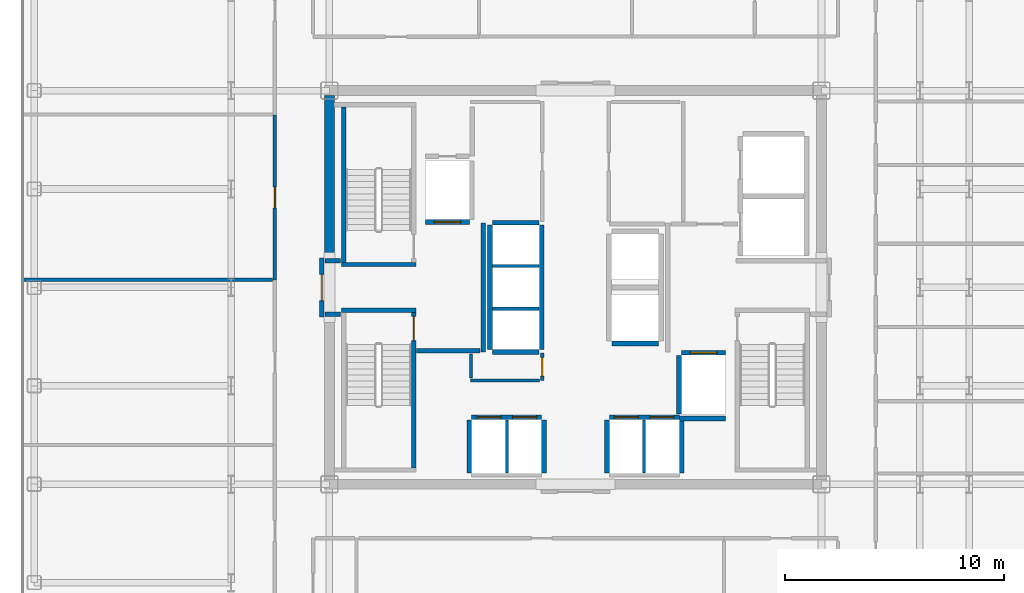
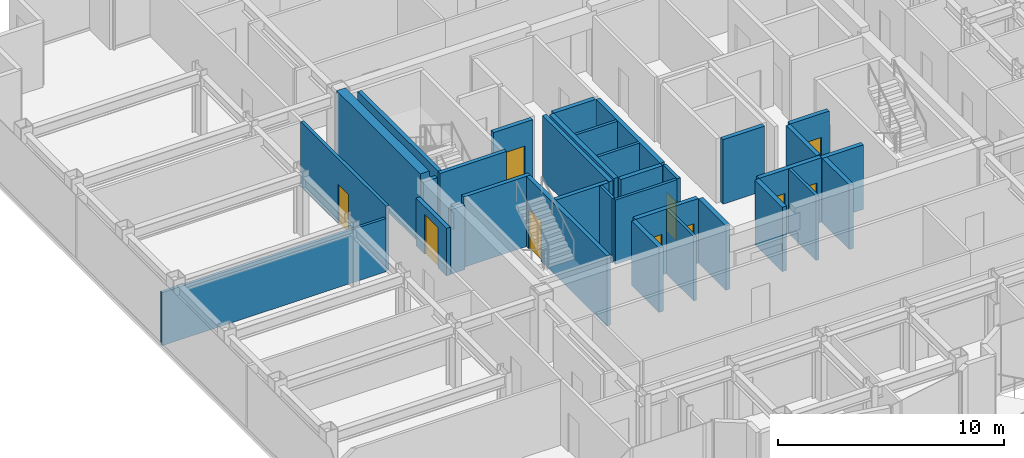
# One storey, part 15 of 21: 34 walls, 10 doors, 10 openings.
"""IFC4 building model written with IfcOpenShell, lengths in metres."""

from ifc_helpers import new_model, si_unit, direction, frame, frame_2d, origin, place, context, subcontext, project, spatial, rectangle, extrude, source, transform, mapped, material, layer, layer_set, type_object, element, fill, save


model = new_model("IFC4")

# Units and contexts
model_context = context("Model", 3, precision=1e-05, world=origin(), true_north=direction((0.0, 1.0)))
body_context = subcontext(model_context, "Body", "Model", "MODEL_VIEW")
ifc_project = project(units=[si_unit("LENGTHUNIT", "METRE"), si_unit("AREAUNIT", "SQUARE_METRE"), si_unit("VOLUMEUNIT", "CUBIC_METRE"), si_unit("PLANEANGLEUNIT", "RADIAN"), si_unit("MASSUNIT", "GRAM", prefix="KILO")], contexts=[model_context])

# Site, building, storey
site_placement = place(None, origin())
site = spatial("IfcSite", under=ifc_project, at=site_placement, CompositionType="ELEMENT")
building_placement = place(site_placement, origin())
building = spatial("IfcBuilding", under=site, at=building_placement, Name="Nefas-Gora Pilgrimage Tower", CompositionType="ELEMENT")
storey_placement = place(building_placement, frame((0.0, 0.0, 256.0)))
storey = spatial("IfcBuildingStorey", under=building, at=storey_placement, Name="L64", CompositionType="ELEMENT", Elevation=256.0)

# Walls
ifc_material_1 = material(Name="Concrete C50/60", Category="concrete")
ifc_layer_1 = layer(ifc_material_1, 0.449951171875)
ifc_layer_set_1 = layer_set([ifc_layer_1], Name="Concrete C50/60")
wall_type_1 = type_object("IfcWallType", Name="SW-CORE-450", PredefinedType="SHEAR", material=ifc_layer_set_1)
shared_shape_1 = source(origin(), body_context, "Body", "SweptSolid", [
    extrude(rectangle(XDim=7.4248046875, YDim=0.449951171875, at=frame_2d((3.71240234375, 0.0))), origin(), (0.0, 0.0, 1.0), 3.800048828125),
])
wall_1_placement = place(storey_placement, frame((-11.25, 1.35009765625, 0.0), z_axis=(0.0, 0.0, 1.0), x_axis=(0.0, 1.0, 0.0)))
element("IfcWall", 1, at=wall_1_placement, inside=storey, type_object=wall_type_1, Name="L64 Core Shear Wall W-North", PredefinedType="SHEAR", context=body_context, shape_type="MappedRepresentation", body=[
    mapped(shared_shape_1, transform((0.0, 0.0, 0.0), x_axis=(1.0, 0.0, 0.0), y_axis=(0.0, 1.0, 0.0), z_axis=(0.0, 0.0, 1.0), scale=1.0)),
])
ifc_material_2 = material(Name="Concrete C45/55", Category="concrete")
ifc_layer_2 = layer(ifc_material_2, 0.199951171875)
ifc_layer_set_2 = layer_set([ifc_layer_2], Name="Concrete C45/55")
wall_type_2 = type_object("IfcWallType", Name="IW-STAIR-200", PredefinedType="SOLIDWALL", material=ifc_layer_set_2)
shared_shape_2 = source(origin(), body_context, "Body", "SweptSolid", [
    extrude(rectangle(XDim=3.39990234375, YDim=0.199951171875, at=frame_2d((1.699951171875, 0.0))), origin(), (0.0, 0.0, 1.0), 3.800048828125),
])
for number, where, z_axis, x_axis, name in (
    (2, (-7.300048828125, 1.050048828125, 0.0), (0.0, 0.0, 1.0), (-1.0, 0.0, 0.0), "L64 Stairwell Shear Wall ST-01-near"),
    (3, (-10.699951171875, -1.050048828125, 0.0), (0.0, 0.0, 1.0), (1.0, 0.0, 0.0), "L64 Stairwell Shear Wall ST-03-near"),
):
    element("IfcWall", number, at=place(storey_placement, frame(where, z_axis=z_axis, x_axis=x_axis)), inside=storey, type_object=wall_type_2, Name=name, PredefinedType="SOLIDWALL", context=body_context, shape_type="MappedRepresentation", body=[
        mapped(shared_shape_2, transform((0.0, 0.0, 0.0), x_axis=(1.0, 0.0, 0.0), y_axis=(0.0, 1.0, 0.0), z_axis=(0.0, 0.0, 1.0), scale=1.0)),
    ])
shared_shape_3 = source(origin(), body_context, "Body", "SweptSolid", [
    extrude(rectangle(XDim=7.10009765625, YDim=0.199951171875, at=frame_2d((3.550048828125, 0.0))), origin(), (0.0, 0.0, 1.0), 3.800048828125),
])
wall_2_placement = place(storey_placement, frame((-10.60009765625, 1.14990234375, 0.0), z_axis=(0.0, 0.0, 1.0), x_axis=(0.0, 1.0, 0.0)))
element("IfcWall", 4, at=wall_2_placement, inside=storey, type_object=wall_type_2, Name="L64 Stairwell Shear Wall ST-01-right", PredefinedType="SOLIDWALL", context=body_context, shape_type="MappedRepresentation", body=[
    mapped(shared_shape_3, transform((0.0, 0.0, 0.0), x_axis=(1.0, 0.0, 0.0), y_axis=(0.0, 1.0, 0.0), z_axis=(0.0, 0.0, 1.0), scale=1.0)),
])

# Wall, opening, door
wall_3_placement = place(storey_placement, frame((-7.39990234375, -1.14990234375, 0.0), z_axis=(0.0, 0.0, 1.0), x_axis=(0.0, -1.0, 0.0)))
wall_3 = element("IfcWall", 5, at=wall_3_placement, inside=storey, type_object=wall_type_2, Name="L64 Stairwell Shear Wall ST-03-right", PredefinedType="SOLIDWALL", context=body_context, shape_type="MappedRepresentation", body=[
    mapped(shared_shape_3, transform((0.0, 0.0, 0.0), x_axis=(1.0, 0.0, 0.0), y_axis=(0.0, 1.0, 0.0), z_axis=(0.0, 0.0, 1.0), scale=1.0)),
])
opening_1_placement = place(wall_3_placement, frame((0.179931640625, 0.0, 0.0)))
opening_1 = element("IfcOpeningElement", 6, at=opening_1_placement, cuts=wall_3, Name="Opening ID-ST1", PredefinedType="OPENING", context=body_context, shape_type="SweptSolid", body=[
    extrude(rectangle(XDim=1.10009765625, YDim=2.14990234375, at=frame_2d((0.550048828125, 1.074951171875))), frame((0.0, 0.10986328125, 0.0), z_axis=(0.0, -1.0, 0.0), x_axis=(1.0, 0.0, 0.0)), (0.0, 0.0, 1.0), 0.219970703125),
])
ifc_material_3 = material(Name="Painted galvanised steel fire stair door", Category="steel")
door_type_1 = type_object("IfcDoorType", Name="DR-INT-STAIR-1100", OperationType="NOTDEFINED", PredefinedType="DOOR", material=ifc_material_3)
shared_shape_4 = source(origin(), body_context, "Body", "SweptSolid", [
    extrude(rectangle(XDim=1.10009765625, YDim=2.14990234375, at=frame_2d((0.550048828125, 1.074951171875))), frame((0.0, 0.02490234375, 0.0), z_axis=(0.0, -1.0, 0.0), x_axis=(1.0, 0.0, 0.0)), (0.0, 0.0, 1.0), 0.050048828125),
])
door_1_placement = place(opening_1_placement, origin())
door_1 = element("IfcDoor", 7, at=door_1_placement, inside=storey, type_object=door_type_1, Name="L64 Protected Exit Stair Door ST-03", OperationType="SINGLE_SWING_RIGHT", OverallHeight=2.14990234375, OverallWidth=1.10009765625, PredefinedType="DOOR", context=body_context, shape_type="MappedRepresentation", body=[
    mapped(shared_shape_4, transform((0.0, 0.0, 0.0), x_axis=(1.0, 0.0, 0.0), y_axis=(0.0, 1.0, 0.0), z_axis=(0.0, 0.0, 1.0), scale=1.0)),
])
fill(opening_1, door_1)

ifc_material_4 = material(Name="Concrete C40/50", Category="concrete")
ifc_layer_3 = layer(ifc_material_4, 0.219970703125)
ifc_layer_set_3 = layer_set([ifc_layer_3], Name="Concrete C40/50")
wall_type_3 = type_object("IfcWallType", Name="IW-SHAFT-220", PredefinedType="SOLIDWALL", material=ifc_layer_set_3)
shared_shape_5 = source(origin(), body_context, "Body", "SweptSolid", [
    extrude(rectangle(XDim=2.0, YDim=0.219970703125, at=frame_2d((1.0, 0.0))), origin(), (0.0, 0.0, 1.0), 3.485107421875),
])
wall_4_placement = place(storey_placement, frame((-6.85009765625, 2.989990234375, 0.0), z_axis=(0.0, 0.0, 1.0), x_axis=(1.0, 0.0, 0.0)))
wall_4 = element("IfcWall", 8, at=wall_4_placement, inside=storey, type_object=wall_type_3, Name="L64 Hoistway Wall FFL-01-S", PredefinedType="SOLIDWALL", context=body_context, shape_type="MappedRepresentation", body=[
    mapped(shared_shape_5, transform((0.0, 0.0, 0.0), x_axis=(1.0, 0.0, 0.0), y_axis=(0.0, 1.0, 0.0), z_axis=(0.0, 0.0, 1.0), scale=1.0)),
])
opening_2_placement = place(wall_4_placement, frame((0.39990234375, 0.0, 0.0)))
opening_2 = element("IfcOpeningElement", 9, at=opening_2_placement, cuts=wall_4, Name="Opening LD-FF", PredefinedType="OPENING", context=body_context, shape_type="SweptSolid", body=[
    extrude(rectangle(XDim=1.199951171875, YDim=2.199951171875, at=frame_2d((0.60009765625, 1.10009765625))), frame((0.0, 0.119873046875, 0.0), z_axis=(0.0, -1.0, 0.0), x_axis=(1.0, 0.0, 0.0)), (0.0, 0.0, 1.0), 0.239990234375),
])
ifc_material_5 = material(Name="Fire-service sliding lift landing door")
door_type_2 = type_object("IfcDoorType", Name="DR-LIFT-FSAE-1200", OperationType="SLIDING_TO_LEFT", PredefinedType="DOOR", material=ifc_material_5)
shared_shape_6 = source(origin(), body_context, "Body", "SweptSolid", [
    extrude(rectangle(XDim=1.199951171875, YDim=2.199951171875, at=frame_2d((0.60009765625, 1.10009765625))), frame((0.0, 0.02490234375, 0.0), z_axis=(0.0, -1.0, 0.0), x_axis=(1.0, 0.0, 0.0)), (0.0, 0.0, 1.0), 0.050048828125),
])
door_2_placement = place(opening_2_placement, origin())
door_2 = element("IfcDoor", 10, at=door_2_placement, inside=storey, type_object=door_type_2, Name="L64 Sliding Lift Landing Door FFL-01", OperationType="SLIDING_TO_LEFT", OverallHeight=2.199951171875, OverallWidth=1.199951171875, PredefinedType="DOOR", context=body_context, shape_type="MappedRepresentation", body=[
    mapped(shared_shape_6, transform((0.0, 0.0, 0.0), x_axis=(1.0, 0.0, 0.0), y_axis=(0.0, 1.0, 0.0), z_axis=(0.0, 0.0, 1.0), scale=1.0)),
])
fill(opening_2, door_2)

wall_5_placement = place(storey_placement, frame((6.85009765625, -2.989990234375, 0.0), z_axis=(0.0, 0.0, 1.0), x_axis=(-1.0, 0.0, 0.0)))
wall_5 = element("IfcWall", 11, at=wall_5_placement, inside=storey, type_object=wall_type_3, Name="L64 Hoistway Wall FFL-02-N", PredefinedType="SOLIDWALL", context=body_context, shape_type="MappedRepresentation", body=[
    mapped(shared_shape_5, transform((0.0, 0.0, 0.0), x_axis=(1.0, 0.0, 0.0), y_axis=(0.0, 1.0, 0.0), z_axis=(0.0, 0.0, 1.0), scale=1.0)),
])
opening_3_placement = place(wall_5_placement, frame((0.39990234375, 0.0, 0.0)))
opening_3 = element("IfcOpeningElement", 12, at=opening_3_placement, cuts=wall_5, Name="Opening LD-FF", PredefinedType="OPENING", context=body_context, shape_type="SweptSolid", body=[
    extrude(rectangle(XDim=1.199951171875, YDim=2.199951171875, at=frame_2d((0.60009765625, 1.10009765625))), frame((0.0, 0.119873046875, 0.0), z_axis=(0.0, -1.0, 0.0), x_axis=(1.0, 0.0, 0.0)), (0.0, 0.0, 1.0), 0.239990234375),
])
door_3_placement = place(opening_3_placement, origin())
door_3 = element("IfcDoor", 13, at=door_3_placement, inside=storey, type_object=door_type_2, Name="L64 Sliding Lift Landing Door FFL-02", OperationType="SLIDING_TO_LEFT", OverallHeight=2.199951171875, OverallWidth=1.199951171875, PredefinedType="DOOR", context=body_context, shape_type="MappedRepresentation", body=[
    mapped(shared_shape_6, transform((0.0, 0.0, 0.0), x_axis=(1.0, 0.0, 0.0), y_axis=(0.0, 1.0, 0.0), z_axis=(0.0, 0.0, 1.0), scale=1.0)),
])
fill(opening_3, door_3)

# Wall
shared_shape_7 = source(origin(), body_context, "Body", "SweptSolid", [
    extrude(rectangle(XDim=2.679931640625, YDim=0.219970703125, at=frame_2d((1.33984375, 0.0))), origin(), (0.0, 0.0, 1.0), 3.485107421875),
])
wall_6_placement = place(storey_placement, frame((4.739990234375, -3.110107421875, 0.0), z_axis=(0.0, 0.0, 1.0), x_axis=(0.0, -1.0, 0.0)))
element("IfcWall", 14, at=wall_6_placement, inside=storey, type_object=wall_type_3, Name="L64 Hoistway Wall FFL-02-W", PredefinedType="SOLIDWALL", context=body_context, shape_type="MappedRepresentation", body=[
    mapped(shared_shape_7, transform((0.0, 0.0, 0.0), x_axis=(1.0, 0.0, 0.0), y_axis=(0.0, 1.0, 0.0), z_axis=(0.0, 0.0, 1.0), scale=1.0)),
])

# Wall, openings, doors
shared_shape_8 = source(origin(), body_context, "Body", "SweptSolid", [
    extrude(rectangle(XDim=3.199951171875, YDim=0.219970703125, at=frame_2d((1.60009765625, 0.0))), origin(), (0.0, 0.0, 1.0), 3.485107421875),
])
wall_7_placement = place(storey_placement, frame((-1.550048828125, -5.93994140625, 0.0), z_axis=(0.0, 0.0, 1.0), x_axis=(-1.0, 0.0, 0.0)))
wall_7 = element("IfcWall", 15, at=wall_7_placement, inside=storey, type_object=wall_type_3, Name="L64 Hoistway Wall PL2-W-N", PredefinedType="SOLIDWALL", context=body_context, shape_type="MappedRepresentation", body=[
    mapped(shared_shape_8, transform((0.0, 0.0, 0.0), x_axis=(1.0, 0.0, 0.0), y_axis=(0.0, 1.0, 0.0), z_axis=(0.0, 0.0, 1.0), scale=1.0)),
])
opening_4_placement = place(wall_7_placement, frame((1.85009765625, 0.0, 0.0)))
opening_4 = element("IfcOpeningElement", 16, at=opening_4_placement, cuts=wall_7, Name="Opening LD-01", PredefinedType="OPENING", context=body_context, shape_type="SweptSolid", body=[
    extrude(rectangle(XDim=1.10009765625, YDim=2.199951171875, at=frame_2d((0.550048828125, 1.10009765625))), frame((0.0, 0.119873046875, 0.0), z_axis=(0.0, -1.0, 0.0), x_axis=(1.0, 0.0, 0.0)), (0.0, 0.0, 1.0), 0.239990234375),
])
opening_5_placement = place(wall_7_placement, frame((0.22509765625, 0.0, 0.0)))
opening_5 = element("IfcOpeningElement", 17, at=opening_5_placement, cuts=wall_7, Name="Opening LD-01", PredefinedType="OPENING", context=body_context, shape_type="SweptSolid", body=[
    extrude(rectangle(XDim=1.10009765625, YDim=2.199951171875, at=frame_2d((0.550048828125, 1.10009765625))), frame((0.0, 0.119873046875, 0.0), z_axis=(0.0, -1.0, 0.0), x_axis=(1.0, 0.0, 0.0)), (0.0, 0.0, 1.0), 0.239990234375),
])
ifc_material_6 = material(Name="Brushed stainless sliding lift landing door")
door_type_3 = type_object("IfcDoorType", Name="DR-LIFT-PASS-1100", OperationType="DOUBLE_DOOR_SLIDING", PredefinedType="DOOR", material=ifc_material_6)
shared_shape_9 = source(origin(), body_context, "Body", "SweptSolid", [
    extrude(rectangle(XDim=1.10009765625, YDim=2.199951171875, at=frame_2d((0.550048828125, 1.10009765625))), frame((0.0, 0.02490234375, 0.0), z_axis=(0.0, -1.0, 0.0), x_axis=(1.0, 0.0, 0.0)), (0.0, 0.0, 1.0), 0.050048828125),
])
door_4_placement = place(opening_4_placement, origin())
door_4 = element("IfcDoor", 18, at=door_4_placement, inside=storey, type_object=door_type_3, Name="L64 Sliding Lift Landing Door PL2-01", OperationType="DOUBLE_DOOR_SLIDING", OverallHeight=2.199951171875, OverallWidth=1.10009765625, PredefinedType="DOOR", context=body_context, shape_type="MappedRepresentation", body=[
    mapped(shared_shape_9, transform((0.0, 0.0, 0.0), x_axis=(1.0, 0.0, 0.0), y_axis=(0.0, 1.0, 0.0), z_axis=(0.0, 0.0, 1.0), scale=1.0)),
])
fill(opening_4, door_4)
door_5_placement = place(opening_5_placement, origin())
door_5 = element("IfcDoor", 19, at=door_5_placement, inside=storey, type_object=door_type_3, Name="L64 Sliding Lift Landing Door PL2-02", OperationType="DOUBLE_DOOR_SLIDING", OverallHeight=2.199951171875, OverallWidth=1.10009765625, PredefinedType="DOOR", context=body_context, shape_type="MappedRepresentation", body=[
    mapped(shared_shape_9, transform((0.0, 0.0, 0.0), x_axis=(1.0, 0.0, 0.0), y_axis=(0.0, 1.0, 0.0), z_axis=(0.0, 0.0, 1.0), scale=1.0)),
])
fill(opening_5, door_5)

wall_8_placement = place(storey_placement, frame((4.75, -5.93994140625, 0.0), z_axis=(0.0, 0.0, 1.0), x_axis=(-1.0, 0.0, 0.0)))
wall_8 = element("IfcWall", 20, at=wall_8_placement, inside=storey, type_object=wall_type_3, Name="L64 Hoistway Wall PL2-E-N", PredefinedType="SOLIDWALL", context=body_context, shape_type="MappedRepresentation", body=[
    mapped(shared_shape_8, transform((0.0, 0.0, 0.0), x_axis=(1.0, 0.0, 0.0), y_axis=(0.0, 1.0, 0.0), z_axis=(0.0, 0.0, 1.0), scale=1.0)),
])
opening_6_placement = place(wall_8_placement, frame((1.875, 0.0, 0.0)))
opening_6 = element("IfcOpeningElement", 21, at=opening_6_placement, cuts=wall_8, Name="Opening LD-01", PredefinedType="OPENING", context=body_context, shape_type="SweptSolid", body=[
    extrude(rectangle(XDim=1.10009765625, YDim=2.199951171875, at=frame_2d((0.550048828125, 1.10009765625))), frame((0.0, 0.119873046875, 0.0), z_axis=(0.0, -1.0, 0.0), x_axis=(1.0, 0.0, 0.0)), (0.0, 0.0, 1.0), 0.239990234375),
])
opening_7_placement = place(wall_8_placement, frame((0.25, 0.0, 0.0)))
opening_7 = element("IfcOpeningElement", 22, at=opening_7_placement, cuts=wall_8, Name="Opening LD-01", PredefinedType="OPENING", context=body_context, shape_type="SweptSolid", body=[
    extrude(rectangle(XDim=1.10009765625, YDim=2.199951171875, at=frame_2d((0.550048828125, 1.10009765625))), frame((0.0, 0.119873046875, 0.0), z_axis=(0.0, -1.0, 0.0), x_axis=(1.0, 0.0, 0.0)), (0.0, 0.0, 1.0), 0.239990234375),
])
door_6_placement = place(opening_6_placement, origin())
door_6 = element("IfcDoor", 23, at=door_6_placement, inside=storey, type_object=door_type_3, Name="L64 Sliding Lift Landing Door PL2-03", OperationType="DOUBLE_DOOR_SLIDING", OverallHeight=2.199951171875, OverallWidth=1.10009765625, PredefinedType="DOOR", context=body_context, shape_type="MappedRepresentation", body=[
    mapped(shared_shape_9, transform((0.0, 0.0, 0.0), x_axis=(1.0, 0.0, 0.0), y_axis=(0.0, 1.0, 0.0), z_axis=(0.0, 0.0, 1.0), scale=1.0)),
])
fill(opening_6, door_6)
door_7_placement = place(opening_7_placement, origin())
door_7 = element("IfcDoor", 24, at=door_7_placement, inside=storey, type_object=door_type_3, Name="L64 Sliding Lift Landing Door PL2-04", OperationType="DOUBLE_DOOR_SLIDING", OverallHeight=2.199951171875, OverallWidth=1.10009765625, PredefinedType="DOOR", context=body_context, shape_type="MappedRepresentation", body=[
    mapped(shared_shape_9, transform((0.0, 0.0, 0.0), x_axis=(1.0, 0.0, 0.0), y_axis=(0.0, 1.0, 0.0), z_axis=(0.0, 0.0, 1.0), scale=1.0)),
])
fill(opening_7, door_7)

# Walls
shared_shape_10 = source(origin(), body_context, "Body", "SweptSolid", [
    extrude(rectangle(XDim=2.429931640625, YDim=0.219970703125, at=frame_2d((1.21484375, 0.0))), origin(), (0.0, 0.0, 1.0), 3.485107421875),
])
for number, where, z_axis, x_axis, name in (
    (25, (-4.860107421875, -6.06005859375, 0.0), (0.0, 0.0, 1.0), (0.0, -1.0, 0.0), "L64 Hoistway Wall PL2-W-W"),
    (26, (-1.43994140625, -8.489990234375, 0.0), (0.0, 0.0, 1.0), (0.0, 1.0, 0.0), "L64 Hoistway Wall PL2-W-E"),
    (27, (1.43994140625, -6.06005859375, 0.0), (0.0, 0.0, 1.0), (0.0, -1.0, 0.0), "L64 Hoistway Wall PL2-E-W"),
    (28, (4.860107421875, -8.489990234375, 0.0), (0.0, 0.0, 1.0), (0.0, 1.0, 0.0), "L64 Hoistway Wall PL2-E-E"),
):
    element("IfcWall", number, at=place(storey_placement, frame(where, z_axis=z_axis, x_axis=x_axis)), inside=storey, type_object=wall_type_3, Name=name, PredefinedType="SOLIDWALL", context=body_context, shape_type="MappedRepresentation", body=[
        mapped(shared_shape_10, transform((0.0, 0.0, 0.0), x_axis=(1.0, 0.0, 0.0), y_axis=(0.0, 1.0, 0.0), z_axis=(0.0, 0.0, 1.0), scale=1.0)),
    ])
ifc_material_7 = material(Name="Gypsum twin-stud partition")
ifc_layer_4 = layer(ifc_material_7, 0.139892578125)
ifc_layer_set_4 = layer_set([ifc_layer_4], Name="Gypsum twin-stud partition")
wall_type_4 = type_object("IfcWallType", Name="IW-UNIT-140", PredefinedType="PARTITIONING", material=ifc_layer_set_4)
shared_shape_11 = source(origin(), body_context, "Body", "SweptSolid", [
    extrude(rectangle(XDim=2.429931640625, YDim=0.139892578125, at=frame_2d((1.21484375, 0.0))), origin(), (0.0, 0.0, 1.0), 3.485107421875),
])
for number, where, z_axis, x_axis, name in (
    (29, (-3.125, -8.489990234375, 0.0), (0.0, 0.0, 1.0), (0.0, 1.0, 0.0), "L64 Hoistway Wall PL2-W-DIV"),
    (30, (3.125, -8.489990234375, 0.0), (0.0, 0.0, 1.0), (0.0, 1.0, 0.0), "L64 Hoistway Wall PL2-E-DIV"),
):
    element("IfcWall", number, at=place(storey_placement, frame(where, z_axis=z_axis, x_axis=x_axis)), inside=storey, type_object=wall_type_4, Name=name, PredefinedType="PARTITIONING", context=body_context, shape_type="MappedRepresentation", body=[
        mapped(shared_shape_11, transform((0.0, 0.0, 0.0), x_axis=(1.0, 0.0, 0.0), y_axis=(0.0, 1.0, 0.0), z_axis=(0.0, 0.0, 1.0), scale=1.0)),
    ])
shared_shape_12 = source(origin(), body_context, "Body", "SweptSolid", [
    extrude(rectangle(XDim=5.7001953125, YDim=0.219970703125, at=frame_2d((2.85009765625, 0.0))), origin(), (0.0, 0.0, 1.0), 3.485107421875),
])
for number, where, z_axis, x_axis, name in (
    (31, (-1.5400390625, -2.85009765625, 0.0), (0.0, 0.0, 1.0), (0.0, 1.0, 0.0), "L64 Hoistway Wall PL3-01-03-E"),
    (32, (-3.909912109375, 2.85009765625, 0.0), (0.0, 0.0, 1.0), (0.0, -1.0, 0.0), "L64 Hoistway Wall PL3-01-03-W"),
):
    element("IfcWall", number, at=place(storey_placement, frame(where, z_axis=z_axis, x_axis=x_axis)), inside=storey, type_object=wall_type_3, Name=name, PredefinedType="SOLIDWALL", context=body_context, shape_type="MappedRepresentation", body=[
        mapped(shared_shape_12, transform((0.0, 0.0, 0.0), x_axis=(1.0, 0.0, 0.0), y_axis=(0.0, 1.0, 0.0), z_axis=(0.0, 0.0, 1.0), scale=1.0)),
    ])
shared_shape_13 = source(origin(), body_context, "Body", "SweptSolid", [
    extrude(rectangle(XDim=2.130126953125, YDim=0.219970703125, at=frame_2d((1.06494140625, 0.0))), origin(), (0.0, 0.0, 1.0), 3.485107421875),
])
for number, where, z_axis, x_axis, name in (
    (33, (-3.7900390625, -2.9599609375, 0.0), (0.0, 0.0, 1.0), (1.0, 0.0, 0.0), "L64 Hoistway Wall PL3-01-S"),
    (34, (-1.659912109375, 2.9599609375, 0.0), (0.0, 0.0, 1.0), (-1.0, 0.0, 0.0), "L64 Hoistway Wall PL3-03-N"),
    (35, (1.659912109375, -2.56005859375, 0.0), (0.0, 0.0, 1.0), (1.0, 0.0, 0.0), "L64 Hoistway Wall OBS-01-S"),
):
    element("IfcWall", number, at=place(storey_placement, frame(where, z_axis=z_axis, x_axis=x_axis)), inside=storey, type_object=wall_type_3, Name=name, PredefinedType="SOLIDWALL", context=body_context, shape_type="MappedRepresentation", body=[
        mapped(shared_shape_13, transform((0.0, 0.0, 0.0), x_axis=(1.0, 0.0, 0.0), y_axis=(0.0, 1.0, 0.0), z_axis=(0.0, 0.0, 1.0), scale=1.0)),
    ])
shared_shape_14 = source(origin(), body_context, "Body", "SweptSolid", [
    extrude(rectangle(XDim=2.130126953125, YDim=0.139892578125, at=frame_2d((1.06494140625, 0.0))), origin(), (0.0, 0.0, 1.0), 3.485107421875),
])
for number, where, z_axis, x_axis, name in (
    (36, (-3.7900390625, -0.97509765625, 0.0), (0.0, 0.0, 1.0), (1.0, 0.0, 0.0), "L64 Hoistway Wall PL3-01-02-DIV"),
    (37, (-3.7900390625, 0.97509765625, 0.0), (0.0, 0.0, 1.0), (1.0, 0.0, 0.0), "L64 Hoistway Wall PL3-02-03-DIV"),
):
    element("IfcWall", number, at=place(storey_placement, frame(where, z_axis=z_axis, x_axis=x_axis)), inside=storey, type_object=wall_type_4, Name=name, PredefinedType="PARTITIONING", context=body_context, shape_type="MappedRepresentation", body=[
        mapped(shared_shape_14, transform((0.0, 0.0, 0.0), x_axis=(1.0, 0.0, 0.0), y_axis=(0.0, 1.0, 0.0), z_axis=(0.0, 0.0, 1.0), scale=1.0)),
    ])
shared_shape_15 = source(origin(), body_context, "Body", "SweptSolid", [
    extrude(rectangle(XDim=2.09521484375, YDim=0.219970703125, at=frame_2d((1.047607421875, 0.0))), origin(), (0.0, 0.0, 1.0), 3.485107421875),
])
wall_9_placement = place(storey_placement, frame((4.7548828125, -6.0, 0.0), z_axis=(0.0, 0.0, 1.0), x_axis=(1.0, 0.0, 0.0)))
element("IfcWall", 38, at=wall_9_placement, inside=storey, type_object=wall_type_3, Name="L64 Riser Shaft Wall 3", PredefinedType="SOLIDWALL", context=body_context, shape_type="MappedRepresentation", body=[
    mapped(shared_shape_15, transform((0.0, 0.0, 0.0), x_axis=(1.0, 0.0, 0.0), y_axis=(0.0, 1.0, 0.0), z_axis=(0.0, 0.0, 1.0), scale=1.0)),
])
ifc_material_8 = material(Name="Gypsum fire-rated shaftwall")
ifc_layer_5 = layer(ifc_material_8, 0.199951171875)
ifc_layer_set_5 = layer_set([ifc_layer_5], Name="Gypsum fire-rated shaftwall")
wall_type_5 = type_object("IfcWallType", Name="IW-FFLOB-200", PredefinedType="PARTITIONING", material=ifc_layer_set_5)
shared_shape_16 = source(origin(), body_context, "Body", "SweptSolid", [
    extrude(rectangle(XDim=5.89990234375, YDim=0.199951171875, at=frame_2d((2.949951171875, 0.0))), origin(), (0.0, 0.0, 1.0), 3.485107421875),
])
wall_10_placement = place(storey_placement, frame((-4.219970703125, -2.949951171875, 0.0), z_axis=(0.0, 0.0, 1.0), x_axis=(0.0, 1.0, 0.0)))
element("IfcWall", 39, at=wall_10_placement, inside=storey, type_object=wall_type_5, Name="L64 FF Lobby West Inner Wall Wall 5", PredefinedType="PARTITIONING", context=body_context, shape_type="MappedRepresentation", body=[
    mapped(shared_shape_16, transform((0.0, 0.0, 0.0), x_axis=(1.0, 0.0, 0.0), y_axis=(0.0, 1.0, 0.0), z_axis=(0.0, 0.0, 1.0), scale=1.0)),
])
shared_shape_17 = source(origin(), body_context, "Body", "SweptSolid", [
    extrude(rectangle(XDim=2.89990234375, YDim=0.199951171875, at=frame_2d((1.449951171875, 0.0))), origin(), (0.0, 0.0, 1.0), 3.485107421875),
])
wall_11_placement = place(storey_placement, frame((-7.260009765625, -2.89990234375, 0.0), z_axis=(0.0, 0.0, 1.0), x_axis=(1.0, 0.0, 0.0)))
element("IfcWall", 40, at=wall_11_placement, inside=storey, type_object=wall_type_5, Name="L64 FF Lobby West South Wall Wall 6", PredefinedType="PARTITIONING", context=body_context, shape_type="MappedRepresentation", body=[
    mapped(shared_shape_17, transform((0.0, 0.0, 0.0), x_axis=(1.0, 0.0, 0.0), y_axis=(0.0, 1.0, 0.0), z_axis=(0.0, 0.0, 1.0), scale=1.0)),
])
shared_shape_18 = source(origin(), body_context, "Body", "SweptSolid", [
    extrude(rectangle(XDim=0.719970703125, YDim=0.199951171875, at=frame_2d((0.35986328125, 0.0))), origin(), (0.0, 0.0, 1.0), 3.485107421875),
])
for number, where, z_axis, x_axis, name in (
    (41, (-11.4599609375, 1.219970703125, 0.0), (0.0, 0.0, 1.0), (1.0, 0.0, 0.0), "L64 FF Lobby West Throat N Wall 7"),
    (42, (-11.4599609375, -1.219970703125, 0.0), (0.0, 0.0, 1.0), (1.0, 0.0, 0.0), "L64 FF Lobby West Throat S Wall 8"),
):
    element("IfcWall", number, at=place(storey_placement, frame(where, z_axis=z_axis, x_axis=x_axis)), inside=storey, type_object=wall_type_5, Name=name, PredefinedType="PARTITIONING", context=body_context, shape_type="MappedRepresentation", body=[
        mapped(shared_shape_18, transform((0.0, 0.0, 0.0), x_axis=(1.0, 0.0, 0.0), y_axis=(0.0, 1.0, 0.0), z_axis=(0.0, 0.0, 1.0), scale=1.0)),
    ])

# Wall, opening, door
ifc_material_9 = material(Name="Gypsum acoustic stud partition")
ifc_layer_6 = layer(ifc_material_9, 0.159912109375)
ifc_layer_set_6 = layer_set([ifc_layer_6], Name="Gypsum acoustic stud partition")
wall_type_6 = type_object("IfcWallType", Name="IW-CORR-160", PredefinedType="PARTITIONING", material=ifc_layer_set_6)
shared_shape_19 = source(origin(), body_context, "Body", "SweptSolid", [
    extrude(rectangle(XDim=1.25, YDim=0.159912109375, at=frame_2d((0.625, 0.0))), origin(), (0.0, 0.0, 1.0), 3.485107421875),
])
wall_12_placement = place(storey_placement, frame((-1.52001953125, -4.260009765625, 0.0), z_axis=(0.0, 0.0, 1.0), x_axis=(0.0, 1.0, 0.0)))
wall_12 = element("IfcWall", 43, at=wall_12_placement, inside=storey, type_object=wall_type_6, Name="L64 Pilgrim Baggage and Gear Vault Wall 20", PredefinedType="PARTITIONING", context=body_context, shape_type="MappedRepresentation", body=[
    mapped(shared_shape_19, transform((0.0, 0.0, 0.0), x_axis=(1.0, 0.0, 0.0), y_axis=(0.0, 1.0, 0.0), z_axis=(0.0, 0.0, 1.0), scale=1.0)),
])
opening_8_placement = place(wall_12_placement, frame((0.199951171875, 0.0, 0.0)))
opening_8 = element("IfcOpeningElement", 44, at=opening_8_placement, cuts=wall_12, Name="Opening ID-BT1", PredefinedType="OPENING", context=body_context, shape_type="SweptSolid", body=[
    extrude(rectangle(XDim=0.85009765625, YDim=2.10009765625, at=frame_2d((0.425048828125, 1.050048828125))), frame((0.0, 0.08984375, 0.0), z_axis=(0.0, -1.0, 0.0), x_axis=(1.0, 0.0, 0.0)), (0.0, 0.0, 1.0), 0.179931640625),
])
ifc_material_10 = material(Name="Moisture-resistant fire-rated timber door", Category="wood")
door_type_4 = type_object("IfcDoorType", Name="DR-INT-BATH-850", OperationType="NOTDEFINED", PredefinedType="DOOR", material=ifc_material_10)
shared_shape_20 = source(origin(), body_context, "Body", "SweptSolid", [
    extrude(rectangle(XDim=0.85009765625, YDim=2.10009765625, at=frame_2d((0.425048828125, 1.050048828125))), frame((0.0, 0.02490234375, 0.0), z_axis=(0.0, -1.0, 0.0), x_axis=(1.0, 0.0, 0.0)), (0.0, 0.0, 1.0), 0.050048828125),
])
door_8_placement = place(opening_8_placement, origin())
door_8 = element("IfcDoor", 45, at=door_8_placement, inside=storey, type_object=door_type_4, Name="L64 Pilgrim Baggage and Gear Vault Door 8", OperationType="SINGLE_SWING_RIGHT", OverallHeight=2.10009765625, OverallWidth=0.85009765625, PredefinedType="DOOR", context=body_context, shape_type="MappedRepresentation", body=[
    mapped(shared_shape_20, transform((0.0, 0.0, 0.0), x_axis=(1.0, 0.0, 0.0), y_axis=(0.0, 1.0, 0.0), z_axis=(0.0, 0.0, 1.0), scale=1.0)),
])
fill(opening_8, door_8)

# Walls
shared_shape_21 = source(origin(), body_context, "Body", "SweptSolid", [
    extrude(rectangle(XDim=3.150146484375, YDim=0.139892578125, at=frame_2d((1.5751953125, 0.0))), origin(), (0.0, 0.0, 1.0), 3.485107421875),
])
wall_13_placement = place(storey_placement, frame((-4.7900390625, -4.25, 0.0), z_axis=(0.0, 0.0, 1.0), x_axis=(1.0, 0.0, 0.0)))
element("IfcWall", 46, at=wall_13_placement, inside=storey, type_object=wall_type_4, Name="L64 Pilgrim Baggage and Gear Vault Partition Wall 21", PredefinedType="PARTITIONING", context=body_context, shape_type="MappedRepresentation", body=[
    mapped(shared_shape_21, transform((0.0, 0.0, 0.0), x_axis=(1.0, 0.0, 0.0), y_axis=(0.0, 1.0, 0.0), z_axis=(0.0, 0.0, 1.0), scale=1.0)),
])
shared_shape_22 = source(origin(), body_context, "Body", "SweptSolid", [
    extrude(rectangle(XDim=11.429931640625, YDim=0.139892578125, at=frame_2d((5.71484375, 0.0))), origin(), (0.0, 0.0, 1.0), 2.875),
])
wall_14_placement = place(storey_placement, frame((-25.2900390625, 0.351318359375, 0.0), z_axis=(0.0, 0.0, 1.0), x_axis=(1.0, 0.0, 0.0)))
element("IfcWall", 47, at=wall_14_placement, inside=storey, type_object=wall_type_4, Name="L64 Pilgrim Tea and Beverage Pantry Partition Wall 35", PredefinedType="PARTITIONING", context=body_context, shape_type="MappedRepresentation", body=[
    mapped(shared_shape_22, transform((0.0, 0.0, 0.0), x_axis=(1.0, 0.0, 0.0), y_axis=(0.0, 1.0, 0.0), z_axis=(0.0, 0.0, 1.0), scale=1.0)),
])
shared_shape_23 = source(origin(), body_context, "Body", "SweptSolid", [
    extrude(rectangle(XDim=1.099853515625, YDim=0.139892578125, at=frame_2d((0.5498046875, 0.0))), origin(), (0.0, 0.0, 1.0), 3.485107421875),
])
wall_15_placement = place(storey_placement, frame((-4.780029296875, -4.139892578125, 0.0), z_axis=(0.0, 0.0, 1.0), x_axis=(0.0, 1.0, 0.0)))
element("IfcWall", 48, at=wall_15_placement, inside=storey, type_object=wall_type_4, Name="L64 Pilgrim Baggage and Gear Vault Partition Wall 22", PredefinedType="PARTITIONING", context=body_context, shape_type="MappedRepresentation", body=[
    mapped(shared_shape_23, transform((0.0, 0.0, 0.0), x_axis=(1.0, 0.0, 0.0), y_axis=(0.0, 1.0, 0.0), z_axis=(0.0, 0.0, 1.0), scale=1.0)),
])

# Wall, opening, door
shared_shape_24 = source(origin(), body_context, "Body", "SweptSolid", [
    extrude(rectangle(XDim=2.7001953125, YDim=0.199951171875, at=frame_2d((1.35009765625, 0.0))), origin(), (0.0, 0.0, 1.0), 2.574951171875),
])
wall_16_placement = place(storey_placement, frame((-11.60009765625, -1.35009765625, 0.0), z_axis=(0.0, 0.0, 1.0), x_axis=(0.0, 1.0, 0.0)))
wall_16 = element("IfcWall", 49, at=wall_16_placement, inside=storey, type_object=wall_type_5, Name="L64 FF Lobby West Portal Wall 4", PredefinedType="PARTITIONING", context=body_context, shape_type="MappedRepresentation", body=[
    mapped(shared_shape_24, transform((0.0, 0.0, 0.0), x_axis=(1.0, 0.0, 0.0), y_axis=(0.0, 1.0, 0.0), z_axis=(0.0, 0.0, 1.0), scale=1.0)),
])
opening_9_placement = place(wall_16_placement, frame((0.75, 0.0, 0.0)))
opening_9 = element("IfcOpeningElement", 50, at=opening_9_placement, cuts=wall_16, Name="Opening ID-FF1", PredefinedType="OPENING", context=body_context, shape_type="SweptSolid", body=[
    extrude(rectangle(XDim=1.199951171875, YDim=2.14990234375, at=frame_2d((0.60009765625, 1.074951171875))), frame((0.0, 0.10986328125, 0.0), z_axis=(0.0, -1.0, 0.0), x_axis=(1.0, 0.0, 0.0)), (0.0, 0.0, 1.0), 0.219970703125),
])
ifc_material_11 = material(Name="Smoke-sealed steel firefighting lobby door", Category="steel")
door_type_5 = type_object("IfcDoorType", Name="DR-INT-FFLOB-1200", OperationType="NOTDEFINED", PredefinedType="DOOR", material=ifc_material_11)
shared_shape_25 = source(origin(), body_context, "Body", "SweptSolid", [
    extrude(rectangle(XDim=1.199951171875, YDim=2.14990234375, at=frame_2d((0.60009765625, 1.074951171875))), frame((0.0, 0.02490234375, 0.0), z_axis=(0.0, -1.0, 0.0), x_axis=(1.0, 0.0, 0.0)), (0.0, 0.0, 1.0), 0.050048828125),
])
door_9_placement = place(opening_9_placement, origin())
door_9 = element("IfcDoor", 51, at=door_9_placement, inside=storey, type_object=door_type_5, Name="L64 FF Lobby West Portal Door 2", OperationType="SINGLE_SWING_RIGHT", OverallHeight=2.14990234375, OverallWidth=1.199951171875, PredefinedType="DOOR", context=body_context, shape_type="MappedRepresentation", body=[
    mapped(shared_shape_25, transform((0.0, 0.0, 0.0), x_axis=(1.0, 0.0, 0.0), y_axis=(0.0, 1.0, 0.0), z_axis=(0.0, 0.0, 1.0), scale=1.0)),
])
fill(opening_9, door_9)

shared_shape_26 = source(origin(), body_context, "Body", "SweptSolid", [
    extrude(rectangle(XDim=7.546142578125, YDim=0.159912109375, at=frame_2d((3.77294921875, 0.0))), origin(), (0.0, 0.0, 1.0), 3.485107421875),
])
wall_17_placement = place(storey_placement, frame((-13.739990234375, 0.34130859375, 0.0), z_axis=(0.0, 0.0, 1.0), x_axis=(0.0, 1.0, 0.0)))
wall_17 = element("IfcWall", 52, at=wall_17_placement, inside=storey, type_object=wall_type_6, Name="L64 Pilgrim Tea and Beverage Pantry Partition Wall 34", PredefinedType="PARTITIONING", context=body_context, shape_type="MappedRepresentation", body=[
    mapped(shared_shape_26, transform((0.0, 0.0, 0.0), x_axis=(1.0, 0.0, 0.0), y_axis=(0.0, 1.0, 0.0), z_axis=(0.0, 0.0, 1.0), scale=1.0)),
])
opening_10_placement = place(wall_17_placement, frame((3.298095703125, 0.0, 0.0)))
opening_10 = element("IfcOpeningElement", 53, at=opening_10_placement, cuts=wall_17, Name="Opening ID-GR1", PredefinedType="OPENING", context=body_context, shape_type="SweptSolid", body=[
    extrude(rectangle(XDim=0.949951171875, YDim=2.10009765625, at=frame_2d((0.47509765625, 1.050048828125))), frame((0.0, 0.08984375, 0.0), z_axis=(0.0, -1.0, 0.0), x_axis=(1.0, 0.0, 0.0)), (0.0, 0.0, 1.0), 0.179931640625),
])
ifc_material_12 = material(Name="Solid core oak fire-rated guest entrance door")
door_type_6 = type_object("IfcDoorType", Name="DR-INT-GUEST-950", OperationType="NOTDEFINED", PredefinedType="DOOR", material=ifc_material_12)
shared_shape_27 = source(origin(), body_context, "Body", "SweptSolid", [
    extrude(rectangle(XDim=0.949951171875, YDim=2.10009765625, at=frame_2d((0.47509765625, 1.050048828125))), frame((0.0, 0.02490234375, 0.0), z_axis=(0.0, -1.0, 0.0), x_axis=(1.0, 0.0, 0.0)), (0.0, 0.0, 1.0), 0.050048828125),
])
door_10_placement = place(opening_10_placement, origin())
door_10 = element("IfcDoor", 54, at=door_10_placement, inside=storey, type_object=door_type_6, Name="L64 Pilgrim Tea and Beverage Pantry Door 14", OperationType="SINGLE_SWING_RIGHT", OverallHeight=2.10009765625, OverallWidth=0.949951171875, PredefinedType="DOOR", context=body_context, shape_type="MappedRepresentation", body=[
    mapped(shared_shape_27, transform((0.0, 0.0, 0.0), x_axis=(1.0, 0.0, 0.0), y_axis=(0.0, 1.0, 0.0), z_axis=(0.0, 0.0, 1.0), scale=1.0)),
])
fill(opening_10, door_10)

save(model, "model.ifc")
